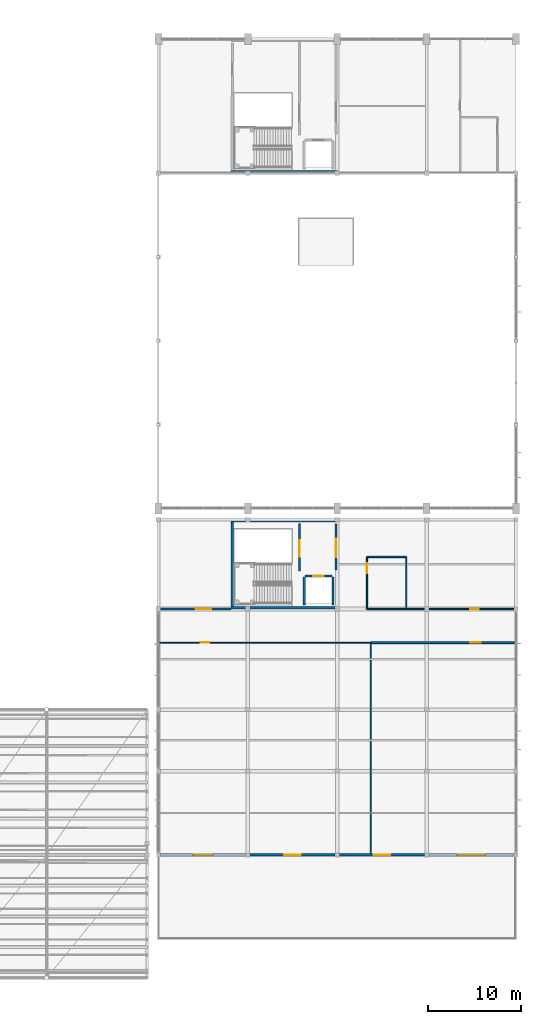
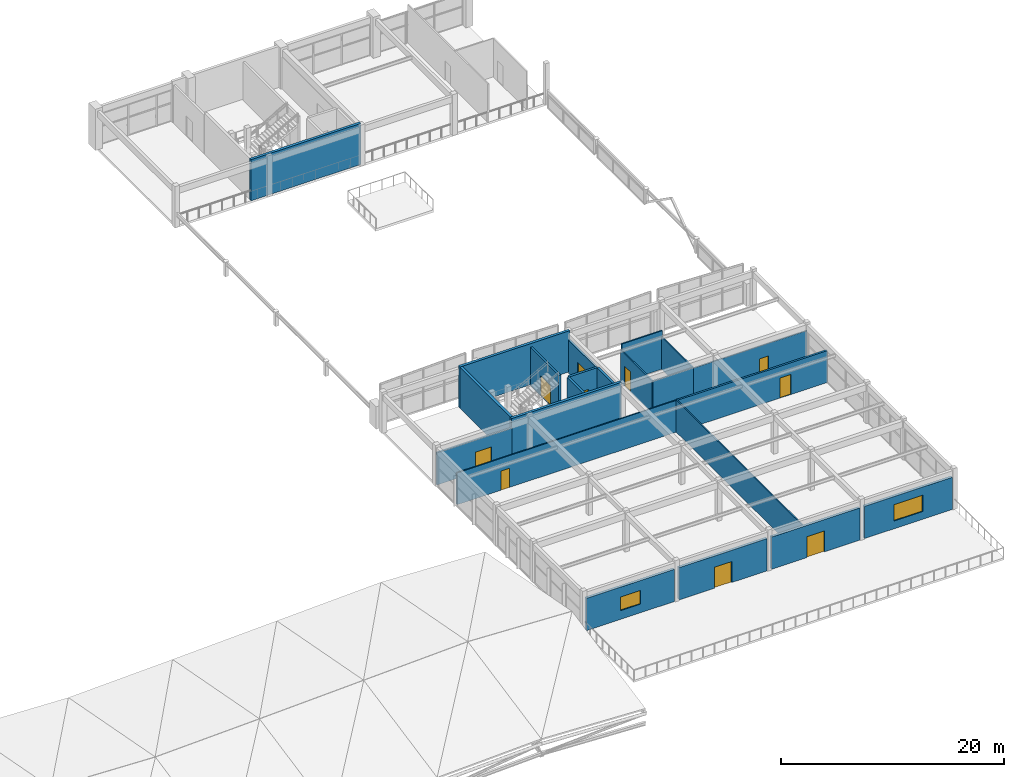
# One storey, part 70 of 89: 22 walls, 10 doors, 2 windows, 12 openings.
"""IFC4 building model written with IfcOpenShell, lengths in metres."""

from ifc_helpers import new_model, si_unit, direction, frame, frame_2d, origin, place, context, subcontext, project, spatial, rectangle, extrude, material, layer, layer_set, type_object, element, fill, save


model = new_model("IFC4")

# Units and contexts
model_context = context("Model", 3, precision=1e-05, world=origin(), true_north=direction((0.0, 1.0)))
body_context = subcontext(model_context, "Body", "Model", "MODEL_VIEW")
ifc_project = project(units=[si_unit("LENGTHUNIT", "METRE"), si_unit("AREAUNIT", "SQUARE_METRE"), si_unit("VOLUMEUNIT", "CUBIC_METRE"), si_unit("PLANEANGLEUNIT", "RADIAN"), si_unit("MASSUNIT", "GRAM", prefix="KILO")], contexts=[model_context])

# Site, building, storey
site_placement = place(None, origin())
site = spatial("IfcSite", under=ifc_project, at=site_placement, CompositionType="ELEMENT")
building_placement = place(site_placement, origin())
building = spatial("IfcBuilding", under=site, at=building_placement, Name="Suirenkawa Promenade Aquatics Centre", CompositionType="ELEMENT")
storey_placement = place(building_placement, frame((0.0, 0.0, 9.60009765625)))
storey = spatial("IfcBuildingStorey", under=building, at=storey_placement, Name="L02", CompositionType="ELEMENT", Elevation=9.60009765625)

# Wall, opening, door
ifc_material_1 = material(Name="Autoclaved aerated concrete blockwork Grade 1", Category="masonry")
ifc_layer_1 = layer(ifc_material_1, 0.199951171875, Name="Autoclaved aerated concrete blockwork Grade 1", Category="masonry")
ifc_layer_set_1 = layer_set([ifc_layer_1], Name="Autoclaved aerated concrete blockwork Grade 1")
wall_type_1 = type_object("IfcWallType", Name="WT-COMP-200", PredefinedType="PARTITIONING", material=ifc_layer_set_1)
wall_1_placement = place(storey_placement, frame((178.800048828125, 36.0, 0.0), z_axis=(0.0, 0.0, 1.0), x_axis=(1.0, 0.0, 0.0)))
wall_1 = element("IfcWall", 1, at=wall_1_placement, inside=storey, type_object=wall_type_1, Name="Interior wall WL-PRT-01 W-7381", PredefinedType="PARTITIONING", context=body_context, shape_type="SweptSolid", body=[
    extrude(rectangle(XDim=15.599853515625, YDim=0.199951171875, at=frame_2d((7.7998046875, 0.0))), origin(), (0.0, 0.0, 1.0), 3.48486328125),
])
opening_1_placement = place(wall_1_placement, frame((10.656982421875, 0.0, 0.0)))
opening_1 = element("IfcOpeningElement", 2, at=opening_1_placement, cuts=wall_1, Name="Opening ID-03", PredefinedType="OPENING", context=body_context, shape_type="SweptSolid", body=[
    extrude(rectangle(XDim=1.14990234375, YDim=2.199951171875, at=frame_2d((0.574951171875, 1.10009765625))), frame((0.0, 0.10986328125, 0.0), z_axis=(0.0, -1.0, 0.0), x_axis=(1.0, 0.0, 0.0)), (0.0, 0.0, 1.0), 0.219970703125),
])
ifc_material_2 = material(Name="Steel IS 2062 E350 (Grade 350)", Category="steel")
door_type_1 = type_object("IfcDoorType", Name="DT-FD120-1150x2200", OperationType="NOTDEFINED", PredefinedType="DOOR", material=ifc_material_2)
door_1_placement = place(opening_1_placement, origin())
door_1 = element("IfcDoor", 3, at=door_1_placement, inside=storey, type_object=door_type_1, Name="Interior door ID-03 DR-INT-0222", OperationType="SINGLE_SWING_LEFT", OverallHeight=2.199951171875, OverallWidth=1.14990234375, PredefinedType="DOOR", context=body_context, shape_type="SweptSolid", body=[
    extrude(rectangle(XDim=1.14990234375, YDim=2.199951171875, at=frame_2d((0.574951171875, 1.10009765625))), frame((0.0, 0.02490234375, 0.0), z_axis=(0.0, -1.0, 0.0), x_axis=(1.0, 0.0, 0.0)), (0.0, 0.0, 1.0), 0.050048828125),
])
fill(opening_1, door_1)

# Walls
ifc_material_3 = material(Name="Concrete M40", Category="concrete")
ifc_layer_2 = layer(ifc_material_3, 0.280029296875, Name="Concrete M40", Category="concrete")
ifc_layer_set_2 = layer_set([ifc_layer_2], Name="Concrete M40")
wall_type_2 = type_object("IfcWallType", Name="WT-CORE-280", PredefinedType="SHEAR", material=ifc_layer_set_2)
for number, where, z_axis, x_axis, name in (
    (4, (163.800048828125, 86.5400390625, 0.0), (0.0, 0.0, 1.0), (1.0, 0.0, 0.0), "C5 south core wall WL-CORE-02 W-0146"),
    (5, (163.800048828125, 39.739990234375, 0.0), (0.0, 0.0, 1.0), (1.0, 0.0, 0.0), "C6 south core wall WL-CORE-02 W-0161"),
    (6, (163.800048828125, 49.06005859375, 0.0), (0.0, 0.0, 1.0), (1.0, 0.0, 0.0), "C6 north core wall WL-CORE-02 W-0162"),
):
    element("IfcWall", number, at=place(storey_placement, frame(where, z_axis=z_axis, x_axis=x_axis)), inside=storey, type_object=wall_type_2, Name=name, PredefinedType="SHEAR", context=body_context, shape_type="SweptSolid", body=[
        extrude(rectangle(XDim=11.39990234375, YDim=0.280029296875, at=frame_2d((5.699951171875, 0.0))), origin(), (0.0, 0.0, 1.0), 4.5),
    ])
wall_2_placement = place(storey_placement, frame((163.93994140625, 39.8798828125, 0.0), z_axis=(0.0, 0.0, 1.0), x_axis=(0.0, 1.0, 0.0)))
element("IfcWall", 7, at=wall_2_placement, inside=storey, type_object=wall_type_2, Name="C6 west core wall WL-CORE-02 W-0163", PredefinedType="SHEAR", context=body_context, shape_type="SweptSolid", body=[
    extrude(rectangle(XDim=9.0400390625, YDim=0.280029296875, at=frame_2d((4.52001953125, 0.0))), origin(), (0.0, 0.0, 1.0), 4.5),
])

# Wall, opening, window
ifc_layer_3 = layer(ifc_material_3, 0.27001953125, Name="Concrete M40", Category="concrete")
ifc_layer_set_3 = layer_set([ifc_layer_3], Name="Concrete M40")
wall_type_3 = type_object("IfcWallType", Name="WT-EXT-270", PredefinedType="SOLIDWALL", material=ifc_layer_set_3)
wall_3_placement = place(storey_placement, frame((165.3701171875, 13.199951171875, 0.0), z_axis=(0.0, 0.0, 1.0), x_axis=(-1.0, 0.0, 0.0)))
wall_3 = element("IfcWall", 8, at=wall_3_placement, inside=storey, type_object=wall_type_3, Name="Exterior wall WL-EXT-04 W-5050", PredefinedType="SOLIDWALL", context=body_context, shape_type="SweptSolid", body=[
    extrude(rectangle(XDim=9.14013671875, YDim=0.27001953125, at=frame_2d((4.570068359375, 0.0))), origin(), (0.0, 0.0, 1.0), 3.534912109375),
])
opening_2_placement = place(wall_3_placement, frame((3.52001953125, 0.0, 0.949951171875)))
opening_2 = element("IfcOpeningElement", 9, at=opening_2_placement, cuts=wall_3, Name="Opening WN-12", PredefinedType="OPENING", context=body_context, shape_type="SweptSolid", body=[
    extrude(rectangle(XDim=2.10009765625, YDim=1.5, at=frame_2d((1.050048828125, 0.75))), frame((0.0, 0.14501953125, 0.0), z_axis=(0.0, -1.0, 0.0), x_axis=(1.0, 0.0, 0.0)), (0.0, 0.0, 1.0), 0.2900390625),
])
ifc_material_4 = material(Name="Low-E thermally broken double glazing", Category="glass")
window_type_1 = type_object("IfcWindowType", Name="WNT-STD-2100x1500", PartitioningType="SINGLE_PANEL", PredefinedType="WINDOW", material=ifc_material_4)
window_1_placement = place(opening_2_placement, origin())
window_1 = element("IfcWindow", 10, at=window_1_placement, inside=storey, type_object=window_type_1, Name="Window WN-12 WN-0013", OverallHeight=1.5, OverallWidth=2.10009765625, PartitioningType="SINGLE_PANEL", PredefinedType="WINDOW", context=body_context, shape_type="SweptSolid", body=[
    extrude(rectangle(XDim=2.10009765625, YDim=1.5, at=frame_2d((1.050048828125, 0.75))), frame((0.0, 0.030029296875, 0.0), z_axis=(0.0, -1.0, 0.0), x_axis=(1.0, 0.0, 0.0)), (0.0, 0.0, 1.0), 0.06005859375),
])
fill(opening_2, window_1)

# Wall, opening, door
wall_4_placement = place(storey_placement, frame((174.969970703125, 13.199951171875, 0.0), z_axis=(0.0, 0.0, 1.0), x_axis=(-1.0, 0.0, 0.0)))
wall_4 = element("IfcWall", 11, at=wall_4_placement, inside=storey, type_object=wall_type_3, Name="Exterior wall WL-EXT-04 W-5054", PredefinedType="SOLIDWALL", context=body_context, shape_type="SweptSolid", body=[
    extrude(rectangle(XDim=9.139892578125, YDim=0.27001953125, at=frame_2d((4.56982421875, 0.0))), origin(), (0.0, 0.0, 1.0), 3.534912109375),
])
opening_3_placement = place(wall_4_placement, frame((3.669921875, 0.0, 0.0)))
opening_3 = element("IfcOpeningElement", 12, at=opening_3_placement, cuts=wall_4, Name="Opening ED-07", PredefinedType="OPENING", context=body_context, shape_type="SweptSolid", body=[
    extrude(rectangle(XDim=1.800048828125, YDim=2.300048828125, at=frame_2d((0.89990234375, 1.14990234375))), frame((0.0, 0.14501953125, 0.0), z_axis=(0.0, -1.0, 0.0), x_axis=(1.0, 0.0, 0.0)), (0.0, 0.0, 1.0), 0.2900390625),
])
ifc_material_5 = material(Name="Anodised aluminium 6063-T6", Category="aluminium")
door_type_2 = type_object("IfcDoorType", Name="DT-EXT-TERR-1800x2300", OperationType="DOUBLE_DOOR_SINGLE_SWING", PredefinedType="DOOR", material=ifc_material_5)
door_2_placement = place(opening_3_placement, origin())
door_2 = element("IfcDoor", 13, at=door_2_placement, inside=storey, type_object=door_type_2, Name="Exterior door ED-07 DR-EXT-034", OperationType="DOUBLE_DOOR_SINGLE_SWING", OverallHeight=2.300048828125, OverallWidth=1.800048828125, PredefinedType="DOOR", context=body_context, shape_type="SweptSolid", body=[
    extrude(rectangle(XDim=1.800048828125, YDim=2.300048828125, at=frame_2d((0.89990234375, 1.14990234375))), frame((0.0, 0.02490234375, 0.0), z_axis=(0.0, -1.0, 0.0), x_axis=(1.0, 0.0, 0.0)), (0.0, 0.0, 1.0), 0.050048828125),
])
fill(opening_3, door_2)

wall_5_placement = place(storey_placement, frame((184.570068359375, 13.199951171875, 0.0), z_axis=(0.0, 0.0, 1.0), x_axis=(-1.0, 0.0, 0.0)))
wall_5 = element("IfcWall", 14, at=wall_5_placement, inside=storey, type_object=wall_type_3, Name="Exterior wall WL-EXT-04 W-5057", PredefinedType="SOLIDWALL", context=body_context, shape_type="SweptSolid", body=[
    extrude(rectangle(XDim=9.14013671875, YDim=0.27001953125, at=frame_2d((4.570068359375, 0.0))), origin(), (0.0, 0.0, 1.0), 3.534912109375),
])
opening_4_placement = place(wall_5_placement, frame((3.669921875, 0.0, 0.0)))
opening_4 = element("IfcOpeningElement", 15, at=opening_4_placement, cuts=wall_5, Name="Opening ED-07", PredefinedType="OPENING", context=body_context, shape_type="SweptSolid", body=[
    extrude(rectangle(XDim=1.800048828125, YDim=2.300048828125, at=frame_2d((0.89990234375, 1.14990234375))), frame((0.0, 0.14501953125, 0.0), z_axis=(0.0, -1.0, 0.0), x_axis=(1.0, 0.0, 0.0)), (0.0, 0.0, 1.0), 0.2900390625),
])
door_3_placement = place(opening_4_placement, origin())
door_3 = element("IfcDoor", 16, at=door_3_placement, inside=storey, type_object=door_type_2, Name="Exterior door ED-07 DR-EXT-035", OperationType="DOUBLE_DOOR_SINGLE_SWING", OverallHeight=2.300048828125, OverallWidth=1.800048828125, PredefinedType="DOOR", context=body_context, shape_type="SweptSolid", body=[
    extrude(rectangle(XDim=1.800048828125, YDim=2.300048828125, at=frame_2d((0.89990234375, 1.14990234375))), frame((0.0, 0.02490234375, 0.0), z_axis=(0.0, -1.0, 0.0), x_axis=(1.0, 0.0, 0.0)), (0.0, 0.0, 1.0), 0.050048828125),
])
fill(opening_4, door_3)

# Wall, opening, window
wall_6_placement = place(storey_placement, frame((194.169921875, 13.199951171875, 0.0), z_axis=(0.0, 0.0, 1.0), x_axis=(-1.0, 0.0, 0.0)))
wall_6 = element("IfcWall", 17, at=wall_6_placement, inside=storey, type_object=wall_type_3, Name="Exterior wall WL-EXT-04 W-5061", PredefinedType="SOLIDWALL", context=body_context, shape_type="SweptSolid", body=[
    extrude(rectangle(XDim=9.139892578125, YDim=0.27001953125, at=frame_2d((4.56982421875, 0.0))), origin(), (0.0, 0.0, 1.0), 3.534912109375),
])
opening_5_placement = place(wall_6_placement, frame((3.070068359375, 0.0, 0.85009765625)))
opening_5 = element("IfcOpeningElement", 18, at=opening_5_placement, cuts=wall_6, Name="Opening WN-16", PredefinedType="OPENING", context=body_context, shape_type="SweptSolid", body=[
    extrude(rectangle(XDim=3.0, YDim=1.800048828125, at=frame_2d((1.5, 0.89990234375))), frame((0.0, 0.14501953125, 0.0), z_axis=(0.0, -1.0, 0.0), x_axis=(1.0, 0.0, 0.0)), (0.0, 0.0, 1.0), 0.2900390625),
])
window_type_2 = type_object("IfcWindowType", Name="WNT-TALL-3000x1800", PartitioningType="SINGLE_PANEL", PredefinedType="WINDOW", material=ifc_material_4)
window_2_placement = place(opening_5_placement, origin())
window_2 = element("IfcWindow", 19, at=window_2_placement, inside=storey, type_object=window_type_2, Name="Window WN-16 WN-0018", OverallHeight=1.800048828125, OverallWidth=3.0, PartitioningType="SINGLE_PANEL", PredefinedType="WINDOW", context=body_context, shape_type="SweptSolid", body=[
    extrude(rectangle(XDim=3.0, YDim=1.800048828125, at=frame_2d((1.5, 0.89990234375))), frame((0.0, 0.030029296875, 0.0), z_axis=(0.0, -1.0, 0.0), x_axis=(1.0, 0.0, 0.0)), (0.0, 0.0, 1.0), 0.06005859375),
])
fill(opening_5, window_2)

# Wall, opening, door
ifc_layer_4 = layer(ifc_material_1, 0.179931640625, Name="Autoclaved aerated concrete blockwork Grade 1", Category="masonry")
ifc_layer_set_4 = layer_set([ifc_layer_4], Name="Autoclaved aerated concrete blockwork Grade 1")
wall_type_4 = type_object("IfcWallType", Name="WT-FIRE-180", PredefinedType="PARTITIONING", material=ifc_layer_set_4)
wall_7_placement = place(storey_placement, frame((156.0, 39.60009765625, 0.0), z_axis=(0.0, 0.0, 1.0), x_axis=(1.0, 0.0, 0.0)))
wall_7 = element("IfcWall", 20, at=wall_7_placement, inside=storey, type_object=wall_type_4, Name="Interior wall WL-PRT-02 W-7382", PredefinedType="PARTITIONING", context=body_context, shape_type="SweptSolid", body=[
    extrude(rectangle(XDim=7.800048828125, YDim=0.179931640625, at=frame_2d((3.89990234375, 0.0))), origin(), (0.0, 0.0, 1.0), 3.534912109375),
])
opening_6_placement = place(wall_7_placement, frame((4.010986328125, 0.0, 0.0)))
opening_6 = element("IfcOpeningElement", 21, at=opening_6_placement, cuts=wall_7, Name="Opening ID-05", PredefinedType="OPENING", context=body_context, shape_type="SweptSolid", body=[
    extrude(rectangle(XDim=1.64990234375, YDim=2.199951171875, at=frame_2d((0.824951171875, 1.10009765625))), frame((0.0, 0.099853515625, 0.0), z_axis=(0.0, -1.0, 0.0), x_axis=(1.0, 0.0, 0.0)), (0.0, 0.0, 1.0), 0.199951171875),
])
ifc_material_6 = material(Name="Engineered maple acoustic sports timber", Category="wood")
door_type_3 = type_object("IfcDoorType", Name="DT-FD60-1650x2200", OperationType="DOUBLE_DOOR_SINGLE_SWING", PredefinedType="DOOR", material=ifc_material_6)
door_4_placement = place(opening_6_placement, origin())
door_4 = element("IfcDoor", 22, at=door_4_placement, inside=storey, type_object=door_type_3, Name="Interior door ID-05 DR-INT-0223", OperationType="DOUBLE_DOOR_SINGLE_SWING", OverallHeight=2.199951171875, OverallWidth=1.64990234375, PredefinedType="DOOR", context=body_context, shape_type="SweptSolid", body=[
    extrude(rectangle(XDim=1.64990234375, YDim=2.199951171875, at=frame_2d((0.824951171875, 1.10009765625))), frame((0.0, 0.02490234375, 0.0), z_axis=(0.0, -1.0, 0.0), x_axis=(1.0, 0.0, 0.0)), (0.0, 0.0, 1.0), 0.050048828125),
])
fill(opening_6, door_4)

ifc_material_7 = material(Name="Moisture-resistant acoustic gypsum board")
ifc_layer_5 = layer(ifc_material_7, 0.1201171875, Name="Moisture-resistant acoustic gypsum board")
ifc_layer_set_5 = layer_set([ifc_layer_5], Name="Moisture-resistant acoustic gypsum board")
wall_type_5 = type_object("IfcWallType", Name="WT-LIGHT-120", PredefinedType="PARTITIONING", material=ifc_layer_set_5)
wall_8_placement = place(storey_placement, frame((156.0, 36.0, 0.0), z_axis=(0.0, 0.0, 1.0), x_axis=(1.0, 0.0, 0.0)))
wall_8 = element("IfcWall", 23, at=wall_8_placement, inside=storey, type_object=wall_type_5, Name="Interior wall WL-PRT-05 W-7379", PredefinedType="PARTITIONING", context=body_context, shape_type="SweptSolid", body=[
    extrude(rectangle(XDim=22.800048828125, YDim=0.1201171875, at=frame_2d((11.39990234375, 0.0))), origin(), (0.0, 0.0, 1.0), 3.48486328125),
])
opening_7_placement = place(wall_8_placement, frame((4.56591796875, 0.0, 0.0)))
opening_7 = element("IfcOpeningElement", 24, at=opening_7_placement, cuts=wall_8, Name="Opening ID-12", PredefinedType="OPENING", context=body_context, shape_type="SweptSolid", body=[
    extrude(rectangle(XDim=0.89990234375, YDim=2.10009765625, at=frame_2d((0.449951171875, 1.050048828125))), frame((0.0, 0.070068359375, 0.0), z_axis=(0.0, -1.0, 0.0), x_axis=(1.0, 0.0, 0.0)), (0.0, 0.0, 1.0), 0.14013671875),
])
door_type_4 = type_object("IfcDoorType", Name="DT-STD-900x2100", OperationType="NOTDEFINED", PredefinedType="DOOR", material=ifc_material_6)
door_5_placement = place(opening_7_placement, origin())
door_5 = element("IfcDoor", 25, at=door_5_placement, inside=storey, type_object=door_type_4, Name="Interior door ID-12 DR-INT-0221", OperationType="SINGLE_SWING_RIGHT", OverallHeight=2.10009765625, OverallWidth=0.89990234375, PredefinedType="DOOR", context=body_context, shape_type="SweptSolid", body=[
    extrude(rectangle(XDim=0.89990234375, YDim=2.10009765625, at=frame_2d((0.449951171875, 1.050048828125))), frame((0.0, 0.02490234375, 0.0), z_axis=(0.0, -1.0, 0.0), x_axis=(1.0, 0.0, 0.0)), (0.0, 0.0, 1.0), 0.050048828125),
])
fill(opening_7, door_5)

# Wall
wall_9_placement = place(storey_placement, frame((178.800048828125, 13.199951171875, 0.0), z_axis=(0.0, 0.0, 1.0), x_axis=(0.0, 1.0, 0.0)))
element("IfcWall", 26, at=wall_9_placement, inside=storey, type_object=wall_type_5, Name="Interior wall WL-PRT-05 W-7380", PredefinedType="PARTITIONING", context=body_context, shape_type="SweptSolid", body=[
    extrude(rectangle(XDim=22.800048828125, YDim=0.1201171875, at=frame_2d((11.39990234375, 0.0))), origin(), (0.0, 0.0, 1.0), 3.534912109375),
])

# Wall, opening, door
wall_10_placement = place(storey_placement, frame((182.60009765625, 39.60009765625, 0.0), z_axis=(0.0, 0.0, 1.0), x_axis=(1.0, 0.0, 0.0)))
wall_10 = element("IfcWall", 27, at=wall_10_placement, inside=storey, type_object=wall_type_5, Name="Interior wall WL-PRT-05 W-7387", PredefinedType="PARTITIONING", context=body_context, shape_type="SweptSolid", body=[
    extrude(rectangle(XDim=11.7998046875, YDim=0.1201171875, at=frame_2d((5.89990234375, 0.0))), origin(), (0.0, 0.0, 1.0), 3.48486328125),
])
opening_8_placement = place(wall_10_placement, frame((6.865966796875, 0.0, 0.0)))
opening_8 = element("IfcOpeningElement", 28, at=opening_8_placement, cuts=wall_10, Name="Opening ID-12", PredefinedType="OPENING", context=body_context, shape_type="SweptSolid", body=[
    extrude(rectangle(XDim=0.89990234375, YDim=2.10009765625, at=frame_2d((0.449951171875, 1.050048828125))), frame((0.0, 0.070068359375, 0.0), z_axis=(0.0, -1.0, 0.0), x_axis=(1.0, 0.0, 0.0)), (0.0, 0.0, 1.0), 0.14013671875),
])
door_6_placement = place(opening_8_placement, origin())
door_6 = element("IfcDoor", 29, at=door_6_placement, inside=storey, type_object=door_type_4, Name="Interior door ID-12 DR-INT-0225", OperationType="SINGLE_SWING_LEFT", OverallHeight=2.10009765625, OverallWidth=0.89990234375, PredefinedType="DOOR", context=body_context, shape_type="SweptSolid", body=[
    extrude(rectangle(XDim=0.89990234375, YDim=2.10009765625, at=frame_2d((0.449951171875, 1.050048828125))), frame((0.0, 0.02490234375, 0.0), z_axis=(0.0, -1.0, 0.0), x_axis=(1.0, 0.0, 0.0)), (0.0, 0.0, 1.0), 0.050048828125),
])
fill(opening_8, door_6)

ifc_material_8 = material(Name="Concrete M35", Category="concrete")
ifc_layer_6 = layer(ifc_material_8, 0.219970703125, Name="Concrete M35", Category="concrete")
ifc_layer_set_6 = layer_set([ifc_layer_6], Name="Concrete M35")
wall_type_6 = type_object("IfcWallType", Name="WT-LOBBY-220", PredefinedType="PARTITIONING", material=ifc_layer_set_6)
wall_11_placement = place(storey_placement, frame((171.14990234375, 43.699951171875, 0.0), z_axis=(0.0, 0.0, 1.0), x_axis=(0.0, 1.0, 0.0)))
wall_11 = element("IfcWall", 30, at=wall_11_placement, inside=storey, type_object=wall_type_6, Name="Interior wall WL-LOB-01 W-7141", PredefinedType="PARTITIONING", context=body_context, shape_type="SweptSolid", body=[
    extrude(rectangle(XDim=5.10009765625, YDim=0.219970703125, at=frame_2d((2.550048828125, 0.0))), origin(), (0.0, 0.0, 1.0), 4.204833984375),
])
opening_9_placement = place(wall_11_placement, frame((1.5, 0.0, 0.0)))
opening_9 = element("IfcOpeningElement", 31, at=opening_9_placement, cuts=wall_11, Name="Opening ID-02", PredefinedType="OPENING", context=body_context, shape_type="SweptSolid", body=[
    extrude(rectangle(XDim=1.800048828125, YDim=2.199951171875, at=frame_2d((0.89990234375, 1.10009765625))), frame((0.0, 0.119873046875, 0.0), z_axis=(0.0, -1.0, 0.0), x_axis=(1.0, 0.0, 0.0)), (0.0, 0.0, 1.0), 0.239990234375),
])
door_type_5 = type_object("IfcDoorType", Name="DT-FD120-1800x2200", OperationType="DOUBLE_DOOR_SINGLE_SWING", PredefinedType="DOOR", material=ifc_material_2)
door_7_placement = place(opening_9_placement, origin())
door_7 = element("IfcDoor", 32, at=door_7_placement, inside=storey, type_object=door_type_5, Name="Interior door ID-02 DR-INT-0091", OperationType="DOUBLE_DOOR_SINGLE_SWING", OverallHeight=2.199951171875, OverallWidth=1.800048828125, PredefinedType="DOOR", context=body_context, shape_type="SweptSolid", body=[
    extrude(rectangle(XDim=1.800048828125, YDim=2.199951171875, at=frame_2d((0.89990234375, 1.10009765625))), frame((0.0, 0.02490234375, 0.0), z_axis=(0.0, -1.0, 0.0), x_axis=(1.0, 0.0, 0.0)), (0.0, 0.0, 1.0), 0.050048828125),
])
fill(opening_9, door_7)

wall_12_placement = place(storey_placement, frame((175.090087890625, 43.800048828125, 0.0), z_axis=(0.0, 0.0, 1.0), x_axis=(0.0, 1.0, 0.0)))
wall_12 = element("IfcWall", 33, at=wall_12_placement, inside=storey, type_object=wall_type_6, Name="Interior wall WL-LOB-01 W-7145", PredefinedType="PARTITIONING", context=body_context, shape_type="SweptSolid", body=[
    extrude(rectangle(XDim=4.949951171875, YDim=0.219970703125, at=frame_2d((2.47509765625, 0.0))), origin(), (0.0, 0.0, 1.0), 3.635009765625),
])
opening_10_placement = place(wall_12_placement, frame((1.35009765625, 0.0, 0.0)))
opening_10 = element("IfcOpeningElement", 34, at=opening_10_placement, cuts=wall_12, Name="Opening ID-01", PredefinedType="OPENING", context=body_context, shape_type="SweptSolid", body=[
    extrude(rectangle(XDim=2.0, YDim=2.199951171875, at=frame_2d((1.0, 1.10009765625))), frame((0.0, 0.119873046875, 0.0), z_axis=(0.0, -1.0, 0.0), x_axis=(1.0, 0.0, 0.0)), (0.0, 0.0, 1.0), 0.239990234375),
])
door_type_6 = type_object("IfcDoorType", Name="DT-FD120-2000x2200", OperationType="DOUBLE_DOOR_SINGLE_SWING", PredefinedType="DOOR", material=ifc_material_2)
door_8_placement = place(opening_10_placement, origin())
door_8 = element("IfcDoor", 35, at=door_8_placement, inside=storey, type_object=door_type_6, Name="Interior door ID-01 DR-INT-0093", OperationType="DOUBLE_DOOR_SINGLE_SWING", OverallHeight=2.199951171875, OverallWidth=2.0, PredefinedType="DOOR", context=body_context, shape_type="SweptSolid", body=[
    extrude(rectangle(XDim=2.0, YDim=2.199951171875, at=frame_2d((1.0, 1.10009765625))), frame((0.0, 0.02490234375, 0.0), z_axis=(0.0, -1.0, 0.0), x_axis=(1.0, 0.0, 0.0)), (0.0, 0.0, 1.0), 0.050048828125),
])
fill(opening_10, door_8)

ifc_layer_7 = layer(ifc_material_3, 0.239990234375, Name="Concrete M40", Category="concrete")
ifc_layer_set_7 = layer_set([ifc_layer_7], Name="Concrete M40")
wall_type_7 = type_object("IfcWallType", Name="WT-SHAFT-240", PredefinedType="SOLIDWALL", material=ifc_layer_set_7)
wall_13_placement = place(storey_placement, frame((171.75, 43.14990234375, 0.0), z_axis=(0.0, 0.0, 1.0), x_axis=(1.0, 0.0, 0.0)))
wall_13 = element("IfcWall", 36, at=wall_13_placement, inside=storey, type_object=wall_type_7, Name="Interior wall WL-SHF-01 W-7142", PredefinedType="SOLIDWALL", context=body_context, shape_type="SweptSolid", body=[
    extrude(rectangle(XDim=2.89990234375, YDim=0.239990234375, at=frame_2d((1.449951171875, 0.0))), origin(), (0.0, 0.0, 1.0), 4.204833984375),
])
opening_11_placement = place(wall_13_placement, frame((0.89990234375, 0.0, 0.0)))
opening_11 = element("IfcOpeningElement", 37, at=opening_11_placement, cuts=wall_13, Name="Opening LD-01", PredefinedType="OPENING", context=body_context, shape_type="SweptSolid", body=[
    extrude(rectangle(XDim=1.10009765625, YDim=2.14990234375, at=frame_2d((0.550048828125, 1.074951171875))), frame((0.0, 0.1298828125, 0.0), z_axis=(0.0, -1.0, 0.0), x_axis=(1.0, 0.0, 0.0)), (0.0, 0.0, 1.0), 0.260009765625),
])
ifc_material_9 = material(Name="Marine-grade stainless steel Grade 316L", Category="steel")
door_type_7 = type_object("IfcDoorType", Name="DT-LIFT-1100x2150", OperationType="DOUBLE_DOOR_SLIDING", PredefinedType="DOOR", material=ifc_material_9)
door_9_placement = place(opening_11_placement, origin())
door_9 = element("IfcDoor", 38, at=door_9_placement, inside=storey, type_object=door_type_7, Name="Landing door LD-01 DR-INT-0092", OperationType="DOUBLE_DOOR_SLIDING", OverallHeight=2.14990234375, OverallWidth=1.10009765625, PredefinedType="DOOR", context=body_context, shape_type="SweptSolid", body=[
    extrude(rectangle(XDim=1.10009765625, YDim=2.14990234375, at=frame_2d((0.550048828125, 1.074951171875))), frame((0.0, 0.02490234375, 0.0), z_axis=(0.0, -1.0, 0.0), x_axis=(1.0, 0.0, 0.0)), (0.0, 0.0, 1.0), 0.050048828125),
])
fill(opening_11, door_9)

# Walls
for number, where, z_axis, x_axis, name in (
    (39, (171.64990234375, 40.050048828125, 0.0), (0.0, 0.0, 1.0), (0.0, 1.0, 0.0), "Interior wall WL-SHF-01 W-7143"),
    (40, (174.75, 40.050048828125, 0.0), (0.0, 0.0, 1.0), (0.0, 1.0, 0.0), "Interior wall WL-SHF-01 W-7144"),
):
    element("IfcWall", number, at=place(storey_placement, frame(where, z_axis=z_axis, x_axis=x_axis)), inside=storey, type_object=wall_type_7, Name=name, PredefinedType="SOLIDWALL", context=body_context, shape_type="SweptSolid", body=[
        extrude(rectangle(XDim=3.0, YDim=0.239990234375, at=frame_2d((1.5, 0.0))), origin(), (0.0, 0.0, 1.0), 4.204833984375),
    ])

# Wall, opening, door
ifc_layer_8 = layer(ifc_material_7, 0.139892578125, Name="Moisture-resistant acoustic gypsum board")
ifc_layer_set_8 = layer_set([ifc_layer_8], Name="Moisture-resistant acoustic gypsum board")
wall_type_8 = type_object("IfcWallType", Name="WT-STD-140", PredefinedType="PARTITIONING", material=ifc_layer_set_8)
wall_14_placement = place(storey_placement, frame((178.39990234375, 39.60009765625, 0.0), z_axis=(0.0, 0.0, 1.0), x_axis=(0.0, 1.0, 0.0)))
wall_14 = element("IfcWall", 41, at=wall_14_placement, inside=storey, type_object=wall_type_8, Name="Interior wall WL-PRT-04 W-7383", PredefinedType="PARTITIONING", context=body_context, shape_type="SweptSolid", body=[
    extrude(rectangle(XDim=5.599853515625, YDim=0.139892578125, at=frame_2d((2.7998046875, 0.0))), origin(), (0.0, 0.0, 1.0), 3.534912109375),
])
opening_12_placement = place(wall_14_placement, frame((3.843017578125, 0.0, 0.0)))
opening_12 = element("IfcOpeningElement", 42, at=opening_12_placement, cuts=wall_14, Name="Opening ID-08", PredefinedType="OPENING", context=body_context, shape_type="SweptSolid", body=[
    extrude(rectangle(XDim=1.050048828125, YDim=2.199951171875, at=frame_2d((0.52490234375, 1.10009765625))), frame((0.0, 0.079833984375, 0.0), z_axis=(0.0, -1.0, 0.0), x_axis=(1.0, 0.0, 0.0)), (0.0, 0.0, 1.0), 0.159912109375),
])
door_type_8 = type_object("IfcDoorType", Name="DT-ACC-1050x2200", OperationType="NOTDEFINED", PredefinedType="DOOR", material=ifc_material_5)
door_10_placement = place(opening_12_placement, origin())
door_10 = element("IfcDoor", 43, at=door_10_placement, inside=storey, type_object=door_type_8, Name="Interior door ID-08 DR-INT-0224", OperationType="SINGLE_SWING_RIGHT", OverallHeight=2.199951171875, OverallWidth=1.050048828125, PredefinedType="DOOR", context=body_context, shape_type="SweptSolid", body=[
    extrude(rectangle(XDim=1.050048828125, YDim=2.199951171875, at=frame_2d((0.52490234375, 1.10009765625))), frame((0.0, 0.02490234375, 0.0), z_axis=(0.0, -1.0, 0.0), x_axis=(1.0, 0.0, 0.0)), (0.0, 0.0, 1.0), 0.050048828125),
])
fill(opening_12, door_10)

# Walls
wall_15_placement = place(storey_placement, frame((178.39990234375, 39.60009765625, 0.0), z_axis=(0.0, 0.0, 1.0), x_axis=(1.0, 0.0, 0.0)))
element("IfcWall", 44, at=wall_15_placement, inside=storey, type_object=wall_type_8, Name="Interior wall WL-PRT-04 W-7384", PredefinedType="PARTITIONING", context=body_context, shape_type="SweptSolid", body=[
    extrude(rectangle(XDim=4.2001953125, YDim=0.139892578125, at=frame_2d((2.10009765625, 0.0))), origin(), (0.0, 0.0, 1.0), 3.534912109375),
])
wall_16_placement = place(storey_placement, frame((182.60009765625, 39.60009765625, 0.0), z_axis=(0.0, 0.0, 1.0), x_axis=(0.0, 1.0, 0.0)))
element("IfcWall", 45, at=wall_16_placement, inside=storey, type_object=wall_type_8, Name="Interior wall WL-PRT-04 W-7385", PredefinedType="PARTITIONING", context=body_context, shape_type="SweptSolid", body=[
    extrude(rectangle(XDim=5.599853515625, YDim=0.139892578125, at=frame_2d((2.7998046875, 0.0))), origin(), (0.0, 0.0, 1.0), 3.534912109375),
])
wall_17_placement = place(storey_placement, frame((178.39990234375, 45.199951171875, 0.0), z_axis=(0.0, 0.0, 1.0), x_axis=(1.0, 0.0, 0.0)))
element("IfcWall", 46, at=wall_17_placement, inside=storey, type_object=wall_type_8, Name="Interior wall WL-PRT-04 W-7386", PredefinedType="PARTITIONING", context=body_context, shape_type="SweptSolid", body=[
    extrude(rectangle(XDim=4.2001953125, YDim=0.139892578125, at=frame_2d((2.10009765625, 0.0))), origin(), (0.0, 0.0, 1.0), 4.204833984375),
])

save(model, "model.ifc")
